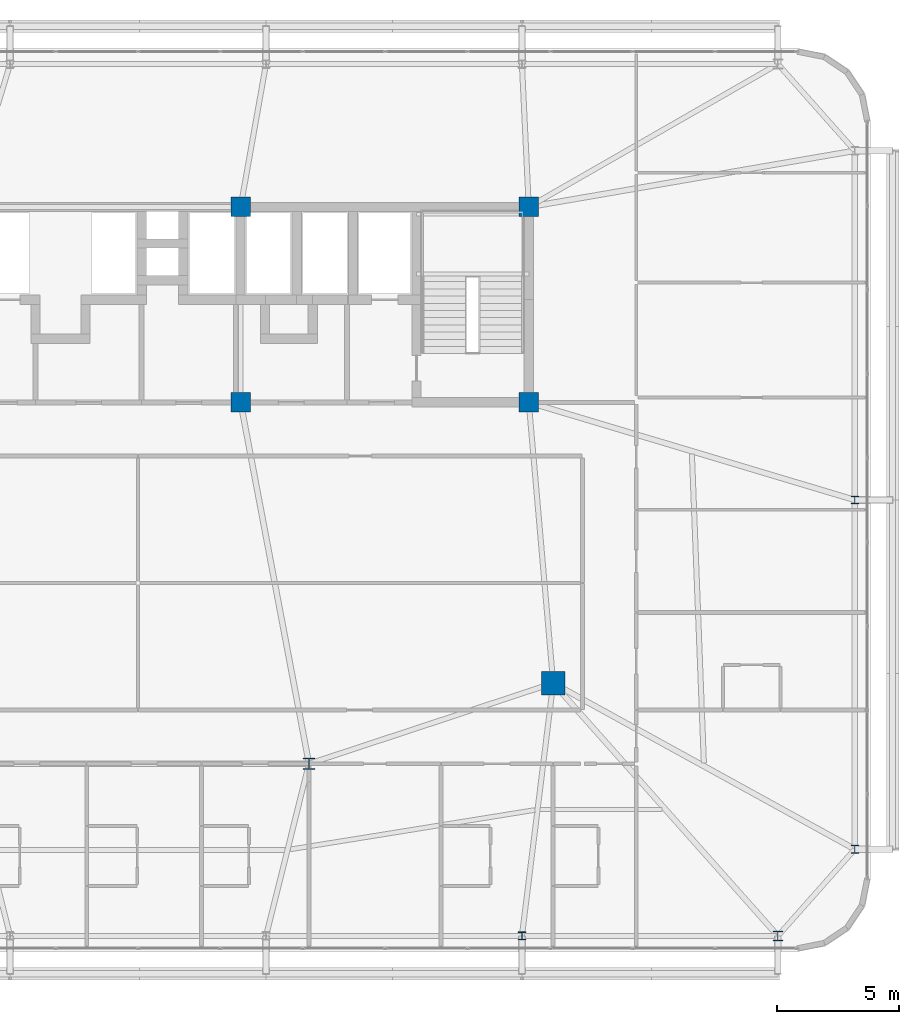
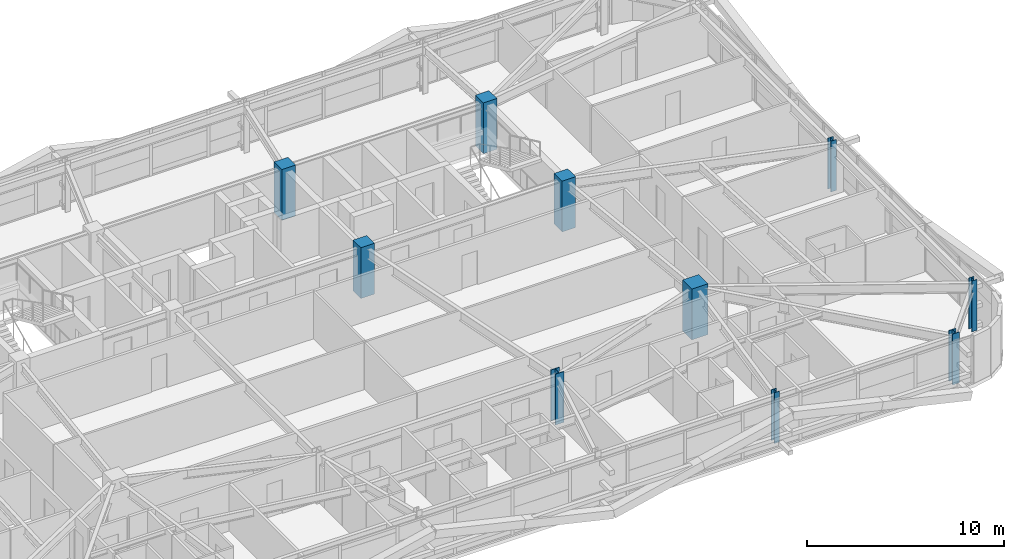
# One storey, part 2 of 59: 10 columns.
"""IFC4 building model written with IfcOpenShell, lengths in metres."""

import ifcopenshell
import ifcopenshell.guid

model = None  # the IFC model being written
_history = None  # IfcOwnerHistory: only IFC2X3 demands one
_inside = {}  # id of a spatial element -> (the spatial element, [elements in it])
_under = {}  # id of a project, library or spatial element -> (it, [spatial elements below it])
_declared = {}  # id of a project -> (the project, [libraries it declares])
_typed = {}  # id of a type object -> (the type object, [elements of that type])
_made_of = {}  # id of a material, layer set ... -> (it, [elements and type objects made of it])


def new_model(schema):
    """Start an empty IFC model of exactly this schema.

    Asked for "IFC4X3", IfcOpenShell would pick the latest addendum, in which some entities
    have other attributes; the version numbers below select the first issue.
    IFC2X3 requires an IfcOwnerHistory on every rooted entity: one is made here for all.
    """
    global model, _history
    if schema == "IFC4X3":
        model = ifcopenshell.file(schema_version=(4, 3, 0, 0))
    else:
        model = ifcopenshell.file(schema=schema)
    _inside.clear()
    _under.clear()
    _declared.clear()
    _typed.clear()
    _made_of.clear()
    _history = None
    if model.schema == "IFC2X3":
        org = make("IfcOrganization", Name="unknown")
        user = make(
            "IfcPersonAndOrganization",
            ThePerson=make("IfcPerson", FamilyName="unknown"),
            TheOrganization=org,
        )
        app = make(
            "IfcApplication",
            ApplicationDeveloper=org,
            Version="unknown",
            ApplicationFullName="unknown",
            ApplicationIdentifier="unknown",
        )
        _history = make(
            "IfcOwnerHistory",
            OwningUser=user,
            OwningApplication=app,
            ChangeAction="ADDED",
            CreationDate=0,
        )
    return model


def make(cls, **values):
    """One entity of the class cls with the attributes given. An attribute that is None is left unset."""
    return model.create_entity(
        cls, **{name: value for name, value in values.items() if value is not None}
    )


def rooted(cls, **values):
    """An entity with a GlobalId (a new one), such as an element, a storey or a relation."""
    return make(cls, GlobalId=ifcopenshell.guid.new(), OwnerHistory=_history, **values)


def si_unit(unit_type, name, prefix=None):
    """IfcSIUnit, for example si_unit("LENGTHUNIT", "METRE", prefix="MILLI")."""
    return make("IfcSIUnit", UnitType=unit_type, Prefix=prefix, Name=name)


def assignment(units):
    """IfcUnitAssignment: the units of a project."""
    return None if units is None else make("IfcUnitAssignment", Units=units)


def point(xyz):
    """IfcCartesianPoint."""
    return None if xyz is None else make("IfcCartesianPoint", Coordinates=xyz)


def direction(xyz):
    """IfcDirection."""
    return None if xyz is None else make("IfcDirection", DirectionRatios=xyz)


def frame(location, z_axis=None, x_axis=None):
    """IfcAxis2Placement3D, a coordinate frame: its origin and axes. An axis left out is left unset."""
    return make(
        "IfcAxis2Placement3D",
        Location=point(location),
        Axis=direction(z_axis),
        RefDirection=direction(x_axis),
    )


def frame_2d(location, x_axis=None):
    """IfcAxis2Placement2D, a coordinate frame in the plane: its origin and x axis."""
    return make(
        "IfcAxis2Placement2D", Location=point(location), RefDirection=direction(x_axis)
    )


def origin():
    """The frame at (0, 0, 0) with its axes left unset."""
    return frame((0.0, 0.0, 0.0))


def origin_2d():
    """The frame at (0, 0) in the plane with its x axis left unset."""
    return frame_2d((0.0, 0.0))


def place(relative_to, where):
    """IfcLocalPlacement: puts the frame where relative to a parent placement (None: the world)."""
    return make(
        "IfcLocalPlacement", PlacementRelTo=relative_to, RelativePlacement=where
    )


def context(
    kind, dimensions, precision=None, world=None, true_north=None, identifier=None
):
    """IfcGeometricRepresentationContext, for example the 3D "Model" context."""
    return make(
        "IfcGeometricRepresentationContext",
        ContextIdentifier=identifier,
        ContextType=kind,
        CoordinateSpaceDimension=dimensions,
        Precision=precision,
        WorldCoordinateSystem=world,
        TrueNorth=true_north,
    )


def subcontext(parent, identifier, kind, view, scale=None):
    """IfcGeometricRepresentationSubContext, for example "Body" below "Model"."""
    return make(
        "IfcGeometricRepresentationSubContext",
        ContextIdentifier=identifier,
        ContextType=kind,
        ParentContext=parent,
        TargetScale=scale,
        TargetView=view,
    )


def project(units=None, contexts=None):
    """IfcProject with its units and contexts."""
    return rooted(
        "IfcProject",
        Name="project",
        RepresentationContexts=contexts,
        UnitsInContext=assignment(units),
    )


def spatial(cls, under=None, at=None, **own):
    """A site, building, storey or space (cls), placed at a placement, below another one or the project."""
    s = rooted(cls, ObjectPlacement=at, **own)
    if under is not None:
        _under.setdefault(under.id(), (under, []))[1].append(s)
    return s


def profile(cls, at=None, kind="AREA", **sizes):
    """A parametric profile (cls). Its sizes go by their IFC names, for example OverallWidth=200.0."""
    return make(cls, ProfileType=kind, Position=at, **sizes)


def rectangle(**sizes):
    """IfcRectangleProfileDef."""
    return profile("IfcRectangleProfileDef", **sizes)


def i_section(**sizes):
    """IfcIShapeProfileDef."""
    return profile("IfcIShapeProfileDef", **sizes)


def extrude(swept, where, along, depth):
    """IfcExtrudedAreaSolid: the profile swept, set in the frame where, extruded along a direction by depth."""
    return make(
        "IfcExtrudedAreaSolid",
        SweptArea=swept,
        Position=where,
        ExtrudedDirection=direction(along),
        Depth=depth,
    )


def shape(context_of_items, identifier, shape_type, items):
    """IfcShapeRepresentation: the items that make up one representation, for example the "Body"."""
    return make(
        "IfcShapeRepresentation",
        ContextOfItems=context_of_items,
        RepresentationIdentifier=identifier,
        RepresentationType=shape_type,
        Items=items,
    )


def source(mapping_origin, context_of_items, identifier, shape_type, items):
    """IfcRepresentationMap: a shape defined once, which mapped items show again and again."""
    return make(
        "IfcRepresentationMap",
        MappingOrigin=mapping_origin,
        MappedRepresentation=shape(context_of_items, identifier, shape_type, items),
    )


def transform(
    local_origin,
    x_axis=None,
    y_axis=None,
    z_axis=None,
    scale=None,
    scale2=None,
    scale3=None,
    uniform=True,
):
    """IfcCartesianTransformationOperator3D, or its non-uniform kind. x_axis, y_axis, z_axis: its Axis1, 2, 3."""
    if uniform:
        return make(
            "IfcCartesianTransformationOperator3D",
            Axis1=direction(x_axis),
            Axis2=direction(y_axis),
            LocalOrigin=point(local_origin),
            Scale=scale,
            Axis3=direction(z_axis),
        )
    return make(
        "IfcCartesianTransformationOperator3DnonUniform",
        Axis1=direction(x_axis),
        Axis2=direction(y_axis),
        LocalOrigin=point(local_origin),
        Scale=scale,
        Axis3=direction(z_axis),
        Scale2=scale2,
        Scale3=scale3,
    )


def mapped(mapping_source, mapping_target):
    """IfcMappedItem: shows the shape of a source again, moved by a transform."""
    return make(
        "IfcMappedItem", MappingSource=mapping_source, MappingTarget=mapping_target
    )


def material(Name=None, Category=None):
    """IfcMaterial."""
    return make("IfcMaterial", Name=Name, Category=Category)


def material_profile(
    of_material, cross_section, Name=None, Category=None, Priority=None
):
    """IfcMaterialProfile: a cross section and its material."""
    return make(
        "IfcMaterialProfile",
        Name=Name,
        Material=of_material,
        Profile=cross_section,
        Priority=Priority,
        Category=Category,
    )


def profile_set(profiles, Name=None, composite=None):
    """IfcMaterialProfileSet."""
    return make(
        "IfcMaterialProfileSet",
        Name=Name,
        MaterialProfiles=profiles,
        CompositeProfile=composite,
    )


def made_of(thing, what):
    """Note that an element or type object is made of a material, layer set ...; save() writes the relation."""
    if what is not None:
        _made_of.setdefault(what.id(), (what, []))[1].append(thing)
    return thing


def type_object(cls, material=None, **own):
    """A type object (cls), such as IfcWallType, which elements share."""
    return made_of(rooted(cls, **own), material)


def element(
    cls,
    number,
    at=None,
    inside=None,
    cuts=None,
    type_object=None,
    material=None,
    context=None,
    identifier="Body",
    shape_type=None,
    held_by="IfcProductDefinitionShape",
    body=None,
    shapes=None,
    **own,
):
    """One element of the class cls, such as IfcWall. Its Tag is "e" and its number.

    at: its placement. inside: the storey or other place that contains it. cuts: it is an
    opening in that element (IfcRelVoidsElement). A single representation is given by context,
    identifier, shape_type and body (its items); several are given by shapes. held_by: the class
    of the entity that holds the representations. save() writes the other relations.
    """
    e = rooted(cls, Tag="e%d" % number, ObjectPlacement=at, **own)
    if body is not None:
        shapes = [shape(context, identifier, shape_type, body)]
    if shapes is not None:
        e.Representation = make(held_by, Representations=shapes)
    if inside is not None:
        _inside.setdefault(inside.id(), (inside, []))[1].append(e)
    if cuts is not None:
        rooted(
            "IfcRelVoidsElement", RelatingBuildingElement=cuts, RelatedOpeningElement=e
        )
    if type_object is not None:
        _typed.setdefault(type_object.id(), (type_object, []))[1].append(e)
    return made_of(e, material)


def aggregate(whole, parts):
    """IfcRelAggregates: a whole, such as a stair, and the parts it consists of."""
    return rooted("IfcRelAggregates", RelatingObject=whole, RelatedObjects=parts)


def save(model, path):
    """Write the relations noted so far, then the file.

    IfcRelAggregates (storeys below a building ...), IfcRelContainedInSpatialStructure (elements
    in a storey), IfcRelDefinesByType, IfcRelAssociatesMaterial and IfcRelDeclares: one each for
    every whole, place, type object, material and project.
    """
    for whole, parts in _under.values():
        aggregate(whole, parts)
    for where, things in _inside.values():
        rooted(
            "IfcRelContainedInSpatialStructure",
            RelatedElements=things,
            RelatingStructure=where,
        )
    for kind, things in _typed.values():
        rooted("IfcRelDefinesByType", RelatedObjects=things, RelatingType=kind)
    for what, things in _made_of.values():
        rooted("IfcRelAssociatesMaterial", RelatedObjects=things, RelatingMaterial=what)
    for by, libraries in _declared.values():
        rooted("IfcRelDeclares", RelatingContext=by, RelatedDefinitions=libraries)
    model.write(path)


model = new_model("IFC4")

# Units and contexts
model_context = context("Model", 3, precision=1e-05, world=origin(), true_north=direction((0.0, 1.0)))
body_context = subcontext(model_context, "Body", "Model", "MODEL_VIEW")
ifc_project = project(units=[si_unit("LENGTHUNIT", "METRE"), si_unit("AREAUNIT", "SQUARE_METRE"), si_unit("VOLUMEUNIT", "CUBIC_METRE"), si_unit("PLANEANGLEUNIT", "RADIAN"), si_unit("MASSUNIT", "GRAM", prefix="KILO")], contexts=[model_context])

# Site, building, storey
site_placement = place(None, origin())
site = spatial("IfcSite", under=ifc_project, at=site_placement, CompositionType="ELEMENT")
building_placement = place(site_placement, origin())
building = spatial("IfcBuilding", under=site, at=building_placement, Name="Taldren Reach Tower", CompositionType="ELEMENT")
storey_placement = place(building_placement, frame((0.0, 0.0, 19.949951171875)))
storey = spatial("IfcBuildingStorey", under=building, at=storey_placement, Name="L05", CompositionType="ELEMENT", Elevation=19.949951171875)

# Columns
ifc_material_1 = material(Name="Concrete S65 (65 MPa)", Category="concrete")
ifc_material_profile_1 = material_profile(ifc_material_1, rectangle(XDim=0.800048828125, YDim=0.800048828125, at=origin_2d()), Name="RC-800x800")
ifc_profile_set_1 = profile_set([ifc_material_profile_1], Name="Concrete S65 (65 MPa)")
column_type_1 = type_object("IfcColumnType", Name="COL-RC800", PredefinedType="COLUMN", material=ifc_profile_set_1)
shared_shape_1 = source(origin(), body_context, "Body", "SweptSolid", [
    extrude(rectangle(XDim=0.800048828125, YDim=0.800048828125, at=origin_2d()), origin(), (0.0, 0.0, 1.0), 3.150146484375),
])
for number, where, z_axis, x_axis, name in (
    (1, (39.199951171875, 24.0, 0.0), (0.0, 0.0, 1.0), (1.0, 0.0, 0.0), "Mega column MC-C3 L05"),
    (2, (51.0, 24.0, 0.0), (0.0, 0.0, 1.0), (1.0, 0.0, 0.0), "Mega column MC-C4 L05"),
    (3, (39.199951171875, 32.0, 0.0), (0.0, 0.0, 1.0), (1.0, 0.0, 0.0), "Mega column MC-C7 L05"),
    (4, (51.0, 32.0, 0.0), (0.0, 0.0, 1.0), (1.0, 0.0, 0.0), "Mega column MC-C8 L05"),
):
    element("IfcColumn", number, at=place(storey_placement, frame(where, z_axis=z_axis, x_axis=x_axis)), inside=storey, type_object=column_type_1, Name=name, PredefinedType="COLUMN", context=body_context, shape_type="MappedRepresentation", body=[
        mapped(shared_shape_1, transform((0.0, 0.0, 0.0), scale=1.0)),
    ])
ifc_material_2 = material(Name="Steel Gr 350 (350PLUS)", Category="steel")
ifc_material_profile_2 = material_profile(ifc_material_2, i_section(OverallWidth=0.5, OverallDepth=0.47998046875, WebThickness=0.028076171875, FlangeThickness=0.0439453125, at=origin_2d()), Name="500WC440")
ifc_profile_set_2 = profile_set([ifc_material_profile_2], Name="Steel Gr 350 (350PLUS)")
column_type_2 = type_object("IfcColumnType", Name="COL-WC500A", PredefinedType="COLUMN", material=ifc_profile_set_2)
shared_shape_2 = source(origin(), body_context, "Body", "SweptSolid", [
    extrude(i_section(OverallWidth=0.5, OverallDepth=0.47998046875, WebThickness=0.028076171875, FlangeThickness=0.0439453125, at=origin_2d()), origin(), (0.0, 0.0, 1.0), 3.150146484375),
])
column_1_placement = place(storey_placement, frame((42.0, 9.199951171875, 0.0), z_axis=(0.0, 0.0, 1.0), x_axis=(1.0, 0.0, 0.0)))
element("IfcColumn", 5, at=column_1_placement, inside=storey, type_object=column_type_2, Name="Mega column MC-PJE L05", PredefinedType="COLUMN", context=body_context, shape_type="MappedRepresentation", body=[
    mapped(shared_shape_2, transform((0.0, 0.0, 0.0), scale=1.0)),
])
ifc_material_3 = material(Name="Concrete S80 (80 MPa)", Category="concrete")
ifc_material_profile_3 = material_profile(ifc_material_3, rectangle(XDim=0.949951171875, YDim=0.949951171875, at=origin_2d()), Name="RC-950x950")
ifc_profile_set_3 = profile_set([ifc_material_profile_3], Name="Concrete S80 (80 MPa)")
column_type_3 = type_object("IfcColumnType", Name="COL-RC950", PredefinedType="COLUMN", material=ifc_profile_set_3)
shared_shape_3 = source(origin(), body_context, "Body", "SweptSolid", [
    extrude(rectangle(XDim=0.949951171875, YDim=0.949951171875, at=origin_2d()), origin(), (0.0, 0.0, 1.0), 3.150146484375),
])
column_2_placement = place(storey_placement, frame((52.0, 12.5, 0.0), z_axis=(0.0, 0.0, 1.0), x_axis=(1.0, 0.0, 0.0)))
element("IfcColumn", 6, at=column_2_placement, inside=storey, type_object=column_type_3, Name="Mega column MC-SE L05", PredefinedType="COLUMN", context=body_context, shape_type="MappedRepresentation", body=[
    mapped(shared_shape_3, transform((0.0, 0.0, 0.0), scale=1.0)),
])
ifc_material_profile_4 = material_profile(ifc_material_2, i_section(OverallWidth=0.39990234375, OverallDepth=0.39599609375, WebThickness=0.02197265625, FlangeThickness=0.033935546875, at=origin_2d()), Name="400WC270")
ifc_profile_set_4 = profile_set([ifc_material_profile_4], Name="Steel Gr 350 (350PLUS)")
column_type_4 = type_object("IfcColumnType", Name="COL-WC400", PredefinedType="COLUMN", material=ifc_profile_set_4)
shared_shape_4 = source(origin(), body_context, "Body", "SweptSolid", [
    extrude(i_section(OverallWidth=0.39990234375, OverallDepth=0.39599609375, WebThickness=0.02197265625, FlangeThickness=0.033935546875, at=origin_2d()), origin(), (0.0, 0.0, 1.0), 3.150146484375),
])
column_3_placement = place(storey_placement, frame((61.199951171875, 2.14990234375, 0.0), z_axis=(0.0, 0.0, 1.0), x_axis=(1.0, 0.0, 0.0)))
element("IfcColumn", 7, at=column_3_placement, inside=storey, type_object=column_type_4, Name="Block B1 perimeter column S6 L05", PredefinedType="COLUMN", context=body_context, shape_type="MappedRepresentation", body=[
    mapped(shared_shape_4, transform((0.0, 0.0, 0.0), scale=1.0)),
])
ifc_material_profile_5 = material_profile(ifc_material_2, i_section(OverallWidth=0.31103515625, OverallDepth=0.326904296875, WebThickness=0.015625, FlangeThickness=0.02490234375, at=origin_2d()), Name="310UC158")
ifc_profile_set_5 = profile_set([ifc_material_profile_5], Name="Steel Gr 350 (350PLUS)")
column_type_5 = type_object("IfcColumnType", Name="COL-UC310A", PredefinedType="COLUMN", material=ifc_profile_set_5)
shared_shape_5 = source(origin(), body_context, "Body", "SweptSolid", [
    extrude(i_section(OverallWidth=0.31103515625, OverallDepth=0.326904296875, WebThickness=0.015625, FlangeThickness=0.02490234375, at=origin_2d()), origin(), (0.0, 0.0, 1.0), 3.150146484375),
])
for number, where, z_axis, x_axis, name in (
    (8, (50.719970703125, 2.14990234375, 0.0), (0.0, 0.0, 1.0), (1.0, 0.0, 0.0), "Block B1 perimeter column S5 L05"),
    (9, (64.35009765625, 5.699951171875, 0.0), (0.0, 0.0, 1.0), (1.0, 0.0, 0.0), "Block B1 perimeter column E1 L05"),
    (10, (64.35009765625, 20.0, 0.0), (0.0, 0.0, 1.0), (1.0, 0.0, 0.0), "Block B1 perimeter column E2 L05"),
):
    element("IfcColumn", number, at=place(storey_placement, frame(where, z_axis=z_axis, x_axis=x_axis)), inside=storey, type_object=column_type_5, Name=name, PredefinedType="COLUMN", context=body_context, shape_type="MappedRepresentation", body=[
        mapped(shared_shape_5, transform((0.0, 0.0, 0.0), scale=1.0)),
    ])

save(model, "model.ifc")
